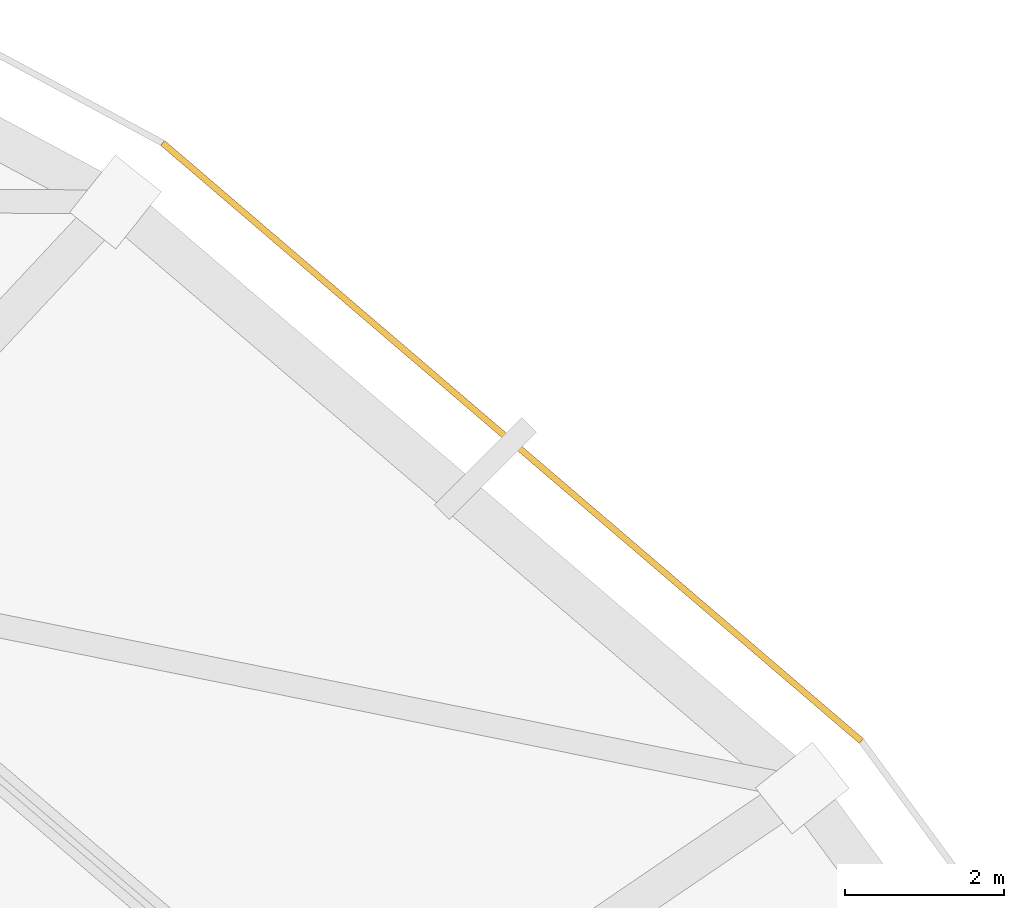
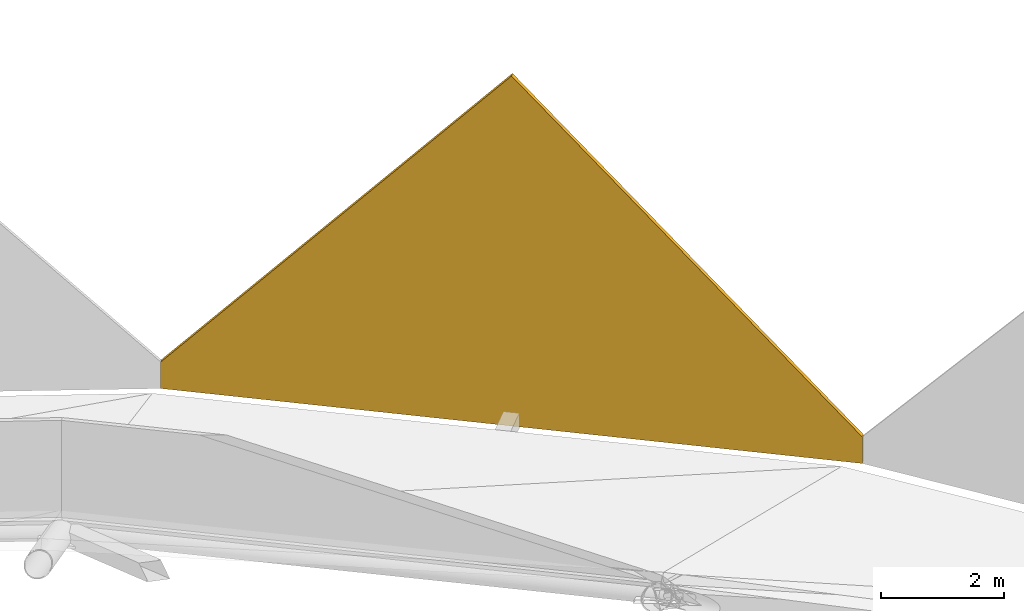
# One storey, part 27 of 27: 1 covering.
"""IFC4 building model written with IfcOpenShell, lengths in metres."""

from ifc_helpers import new_model, si_unit, direction, frame, origin, place, context, subcontext, project, spatial, polyline, outline, extrude, material, layer, layer_set, type_object, element, save


model = new_model("IFC4")

# Units and contexts
model_context = context("Model", 3, precision=1e-05, world=origin(), true_north=direction((0.0, 1.0)))
body_context = subcontext(model_context, "Body", "Model", "MODEL_VIEW")
ifc_project = project(units=[si_unit("LENGTHUNIT", "METRE"), si_unit("AREAUNIT", "SQUARE_METRE"), si_unit("VOLUMEUNIT", "CUBIC_METRE"), si_unit("PLANEANGLEUNIT", "RADIAN"), si_unit("MASSUNIT", "GRAM", prefix="KILO")], contexts=[model_context])

# Site, building, storey
site_placement = place(None, origin())
site = spatial("IfcSite", under=ifc_project, at=site_placement, CompositionType="ELEMENT")
building_placement = place(site_placement, origin())
building = spatial("IfcBuilding", under=site, at=building_placement, Name="Cuetzalor Civic Arena", CompositionType="ELEMENT")
storey_placement = place(building_placement, frame((0.0, 0.0, 31.800048828125)))
storey = spatial("IfcBuildingStorey", under=building, at=storey_placement, Name="Roof", CompositionType="ELEMENT", Elevation=31.800048828125)

# Covering
ifc_material = material(Name="Terracotta-red perforated anodised aluminium panel", Category="masonry")
ifc_layer = layer(ifc_material, 0.080078125)
ifc_layer_set = layer_set([ifc_layer], Name="Terracotta-red perforated anodised aluminium panel")
covering_type = type_object("IfcCoveringType", Name="TerracottaPerforatedScreenPanel", PredefinedType="CLADDING", material=ifc_layer_set)
covering_placement = place(storey_placement, frame((34.603759765625, 37.136962890625, -0.1201171875), z_axis=(0.0, 0.0, 1.0), x_axis=(0.759734649699, -0.650233236652, 0.0)))
element("IfcCovering", 1, at=covering_placement, inside=storey, type_object=covering_type, Name="Terracotta Sawtooth Crest Panel S04", PredefinedType="CLADDING", context=body_context, shape_type="SweptSolid", body=[
    extrude(outline(polyline([(0.0, 0.0), (11.56689453125, 0.0), (11.56689453125, 0.52001953125), (5.783447265625, 6.920166015625), (0.0, 0.52001953125), (0.0, 0.0)])), frame((0.0, 0.0400390625, 0.0), z_axis=(0.0, -1.0, 0.0), x_axis=(1.0, 0.0, 0.0)), (0.0, 0.0, 1.0), 0.080078125),
])

save(model, "model.ifc")
